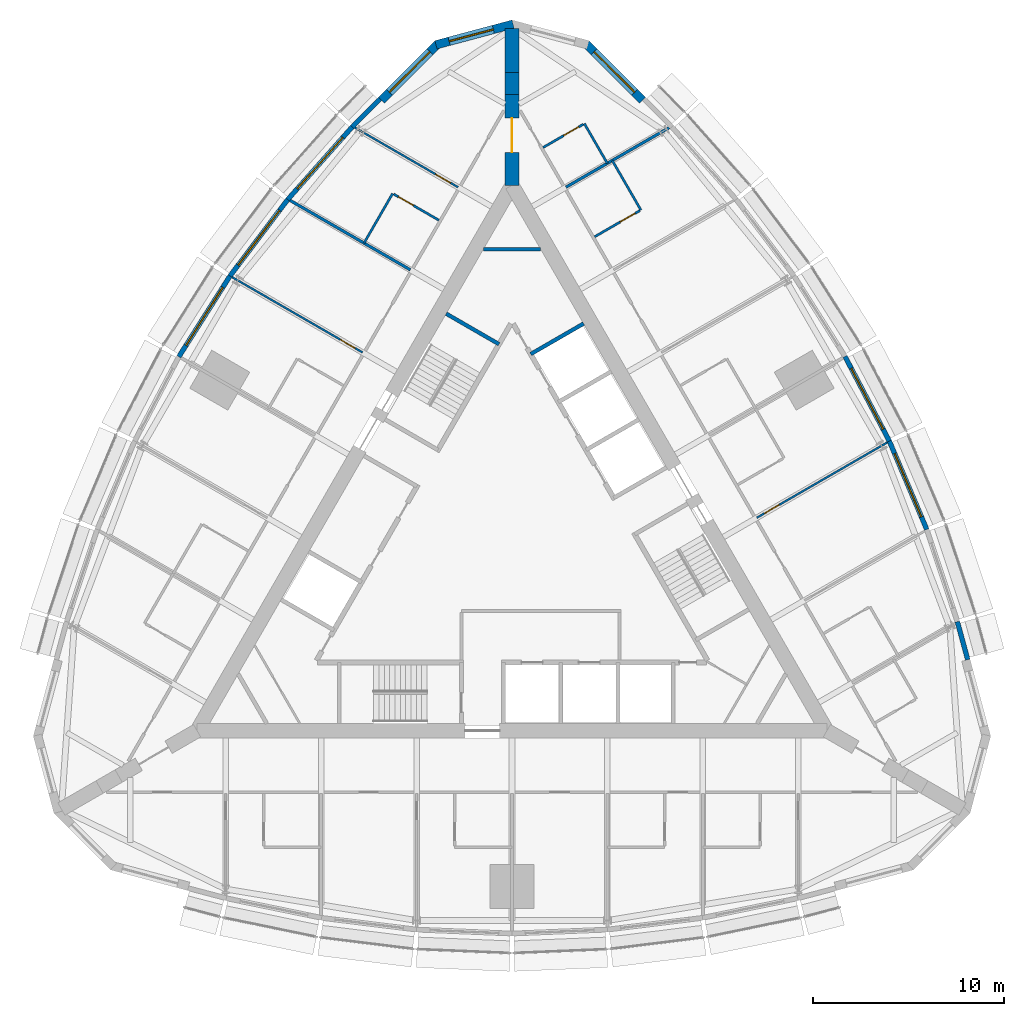
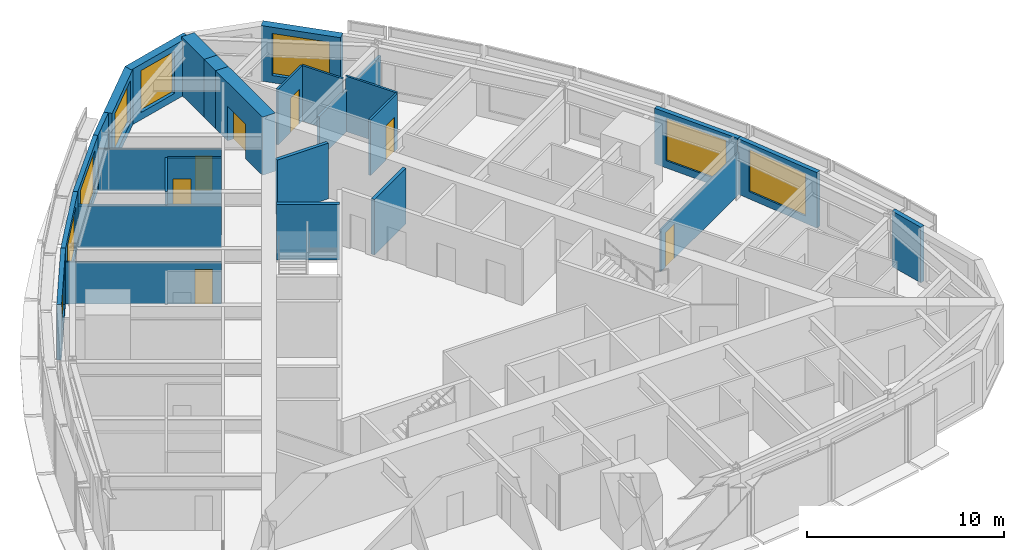
# One storey, part 13 of 15: 27 walls, 8 windows, 7 doors, 15 openings.
"""IFC4 building model written with IfcOpenShell, lengths in metres."""

from ifc_helpers import new_model, si_unit, direction, frame, frame_2d, origin, place, context, subcontext, project, spatial, polyline, rectangle, outline, extrude, material, layer, layer_set, type_object, element, fill, save


model = new_model("IFC4")

# Units and contexts
model_context = context("Model", 3, precision=1e-05, world=origin(), true_north=direction((0.0, 1.0)))
body_context = subcontext(model_context, "Body", "Model", "MODEL_VIEW")
ifc_project = project(units=[si_unit("LENGTHUNIT", "METRE"), si_unit("AREAUNIT", "SQUARE_METRE"), si_unit("VOLUMEUNIT", "CUBIC_METRE"), si_unit("PLANEANGLEUNIT", "RADIAN"), si_unit("MASSUNIT", "GRAM", prefix="KILO")], contexts=[model_context])

# Site, building, storey
site_placement = place(None, origin())
site = spatial("IfcSite", under=ifc_project, at=site_placement, CompositionType="ELEMENT")
building_placement = place(site_placement, origin())
building = spatial("IfcBuilding", under=site, at=building_placement, Name="Trikona Tower", CompositionType="ELEMENT")
storey_placement = place(building_placement, frame((0.0, 0.0, 226.10009765625)))
storey = spatial("IfcBuildingStorey", under=building, at=storey_placement, Name="L60", CompositionType="ELEMENT", Elevation=226.10009765625)

# Wall
ifc_material_1 = material(Name="Metal stud and cement board", Category="gypsum")
ifc_layer_1 = layer(ifc_material_1, 0.1201171875)
ifc_layer_set_1 = layer_set([ifc_layer_1], Name="Bathroom wall 120")
wall_type_1 = type_object("IfcWallType", Name="Bathroom wall 120", PredefinedType="PLUMBINGWALL", material=ifc_layer_set_1)
wall_1_placement = place(storey_placement, frame((6.75341796875, 17.75537109375, 0.0), z_axis=(0.0, 0.0, 1.0), x_axis=(-0.499990139034, 0.866031096941, 0.0)))
element("IfcWall", 1, at=wall_1_placement, inside=storey, type_object=wall_type_1, Name="Bathroom wall 6007.2", PredefinedType="PLUMBINGWALL", context=body_context, shape_type="SweptSolid", body=[
    extrude(rectangle(XDim=3.0, YDim=0.1201171875, at=frame_2d((1.5, 0.0))), origin(), (0.0, 0.0, 1.0), 3.434814453125),
])

# Wall, opening, door
wall_2_placement = place(storey_placement, frame((4.32861328125, 16.35546875, 0.0), z_axis=(0.0, 0.0, 1.0), x_axis=(0.866035715982, 0.499982138324, 0.0)))
wall_2 = element("IfcWall", 2, at=wall_2_placement, inside=storey, type_object=wall_type_1, Name="Bathroom wall 6007.2", PredefinedType="PLUMBINGWALL", context=body_context, shape_type="SweptSolid", body=[
    extrude(rectangle(XDim=2.73974609375, YDim=0.1201171875, at=frame_2d((1.369873046875, 0.0))), origin(), (0.0, 0.0, 1.0), 3.434814453125),
])
opening_1_placement = place(wall_2_placement, frame((1.550048828125, 0.0, 0.0)))
opening_1 = element("IfcOpeningElement", 3, at=opening_1_placement, cuts=wall_2, Name="Opening D2", PredefinedType="OPENING", context=body_context, shape_type="SweptSolid", body=[
    extrude(rectangle(XDim=0.89990234375, YDim=2.1298828125, at=frame_2d((0.449951171875, 1.06494140625))), frame((0.0, 0.070068359375, 0.0), z_axis=(0.0, -1.0, 0.0), x_axis=(1.0, 0.0, 0.0)), (0.0, 0.0, 1.0), 0.14013671875),
])
ifc_material_2 = material(Name="Steel door frame with solid-core timber leaf", Category="steel")
door_type_1 = type_object("IfcDoorType", Name="Bathroom door 900x2130", OperationType="SLIDING_TO_LEFT", PredefinedType="DOOR", material=ifc_material_2)
door_1_placement = place(opening_1_placement, origin())
door_1 = element("IfcDoor", 4, at=door_1_placement, inside=storey, type_object=door_type_1, Name="Bathroom door 6007.2", OperationType="SLIDING_TO_LEFT", OverallHeight=2.1298828125, OverallWidth=0.89990234375, PredefinedType="DOOR", context=body_context, shape_type="SweptSolid", body=[
    extrude(rectangle(XDim=0.89990234375, YDim=2.1298828125, at=frame_2d((0.449951171875, 1.06494140625))), frame((0.0, 0.02490234375, 0.0), z_axis=(0.0, -1.0, 0.0), x_axis=(1.0, 0.0, 0.0)), (0.0, 0.0, 1.0), 0.050048828125),
])
fill(opening_1, door_1)

# Wall
wall_3_placement = place(storey_placement, frame((4.993408203125, 20.20361328125, 0.0), z_axis=(0.0, 0.0, 1.0), x_axis=(-0.500001309137, 0.866024647952, 0.0)))
element("IfcWall", 5, at=wall_3_placement, inside=storey, type_object=wall_type_1, Name="Bathroom wall 6008", PredefinedType="PLUMBINGWALL", context=body_context, shape_type="SweptSolid", body=[
    extrude(rectangle(XDim=2.39990234375, YDim=0.1201171875, at=frame_2d((1.199951171875, 0.0))), origin(), (0.0, 0.0, 1.0), 3.434814453125),
])

# Wall, opening, door
wall_4_placement = place(storey_placement, frame((1.62841796875, 21.031982421875, 0.0), z_axis=(0.0, 0.0, 1.0), x_axis=(0.866048967903, 0.499959183527, 0.0)))
wall_4 = element("IfcWall", 6, at=wall_4_placement, inside=storey, type_object=wall_type_1, Name="Bathroom wall 6008", PredefinedType="PLUMBINGWALL", context=body_context, shape_type="SweptSolid", body=[
    extrude(rectangle(XDim=2.440185546875, YDim=0.1201171875, at=frame_2d((1.22021484375, 0.0))), origin(), (0.0, 0.0, 1.0), 3.434814453125),
])
opening_2_placement = place(wall_4_placement, frame((1.25, 0.0, 0.0)))
opening_2 = element("IfcOpeningElement", 7, at=opening_2_placement, cuts=wall_4, Name="Opening D2", PredefinedType="OPENING", context=body_context, shape_type="SweptSolid", body=[
    extrude(rectangle(XDim=0.89990234375, YDim=2.1298828125, at=frame_2d((0.449951171875, 1.06494140625))), frame((0.0, 0.070068359375, 0.0), z_axis=(0.0, -1.0, 0.0), x_axis=(1.0, 0.0, 0.0)), (0.0, 0.0, 1.0), 0.14013671875),
])
door_2_placement = place(opening_2_placement, origin())
door_2 = element("IfcDoor", 8, at=door_2_placement, inside=storey, type_object=door_type_1, Name="Bathroom door 6008", OperationType="SLIDING_TO_LEFT", OverallHeight=2.1298828125, OverallWidth=0.89990234375, PredefinedType="DOOR", context=body_context, shape_type="SweptSolid", body=[
    extrude(rectangle(XDim=0.89990234375, YDim=2.1298828125, at=frame_2d((0.449951171875, 1.06494140625))), frame((0.0, 0.02490234375, 0.0), z_axis=(0.0, -1.0, 0.0), x_axis=(1.0, 0.0, 0.0)), (0.0, 0.0, 1.0), 0.050048828125),
])
fill(opening_2, door_2)

# Wall
wall_5_placement = place(storey_placement, frame((-6.25341796875, 18.62158203125, 0.0), z_axis=(0.0, 0.0, 1.0), x_axis=(-0.499990139034, -0.866031096941, 0.0)))
element("IfcWall", 9, at=wall_5_placement, inside=storey, type_object=wall_type_1, Name="Bathroom wall 6009.1", PredefinedType="PLUMBINGWALL", context=body_context, shape_type="SweptSolid", body=[
    extrude(rectangle(XDim=3.0, YDim=0.1201171875, at=frame_2d((1.5, 0.0))), origin(), (0.0, 0.0, 1.0), 3.434814453125),
])

# Wall, opening, door
wall_6_placement = place(storey_placement, frame((-3.82861328125, 17.221435546875, 0.0), z_axis=(0.0, 0.0, 1.0), x_axis=(-0.865997131366, 0.500048966069, 0.0)))
wall_6 = element("IfcWall", 10, at=wall_6_placement, inside=storey, type_object=wall_type_1, Name="Bathroom wall 6009.1", PredefinedType="PLUMBINGWALL", context=body_context, shape_type="SweptSolid", body=[
    extrude(rectangle(XDim=2.739990234375, YDim=0.1201171875, at=frame_2d((1.3701171875, 0.0))), origin(), (0.0, 0.0, 1.0), 3.434814453125),
])
opening_3_placement = place(wall_6_placement, frame((1.550048828125, 0.0, 0.0)))
opening_3 = element("IfcOpeningElement", 11, at=opening_3_placement, cuts=wall_6, Name="Opening D2", PredefinedType="OPENING", context=body_context, shape_type="SweptSolid", body=[
    extrude(rectangle(XDim=0.89990234375, YDim=2.1298828125, at=frame_2d((0.449951171875, 1.06494140625))), frame((0.0, 0.070068359375, 0.0), z_axis=(0.0, -1.0, 0.0), x_axis=(1.0, 0.0, 0.0)), (0.0, 0.0, 1.0), 0.14013671875),
])
door_3_placement = place(opening_3_placement, origin())
door_3 = element("IfcDoor", 12, at=door_3_placement, inside=storey, type_object=door_type_1, Name="Bathroom door 6009.1", OperationType="SLIDING_TO_LEFT", OverallHeight=2.1298828125, OverallWidth=0.89990234375, PredefinedType="DOOR", context=body_context, shape_type="SweptSolid", body=[
    extrude(rectangle(XDim=0.89990234375, YDim=2.1298828125, at=frame_2d((0.449951171875, 1.06494140625))), frame((0.0, 0.02490234375, 0.0), z_axis=(0.0, -1.0, 0.0), x_axis=(1.0, 0.0, 0.0)), (0.0, 0.0, 1.0), 0.050048828125),
])
fill(opening_3, door_3)

# Wall, opening, window
ifc_material_3 = material(Name="Brick-faced precast concrete", Category="masonry")
ifc_layer_2 = layer(ifc_material_3, 0.449951171875)
ifc_layer_set_2 = layer_set([ifc_layer_2], Name="Brick-faced corner wall 450")
wall_type_2 = type_object("IfcWallType", Name="Brick-faced corner wall 450", PredefinedType="SOLIDWALL", material=ifc_layer_set_2)
wall_7_placement = place(storey_placement, frame((6.8408203125, 23.51220703125, 0.0), z_axis=(0.0, 0.0, 1.0), x_axis=(-0.707106781187, 0.707106781187, 0.0)))
wall_7 = element("IfcWall", 13, at=wall_7_placement, inside=storey, type_object=wall_type_2, Name="External wall L60-20", PredefinedType="SOLIDWALL", context=body_context, shape_type="SweptSolid", body=[
    extrude(rectangle(XDim=4.183837890625, YDim=0.449951171875, at=frame_2d((2.091796875, 0.0))), origin(), (0.0, 0.0, 1.0), 3.434814453125),
])
opening_4_placement = place(wall_7_placement, frame((0.592041015625, 0.0, 0.449951171875)))
opening_4 = element("IfcOpeningElement", 14, at=opening_4_placement, cuts=wall_7, Name="Opening W3026", PredefinedType="OPENING", context=body_context, shape_type="SweptSolid", body=[
    extrude(rectangle(XDim=3.0, YDim=2.60009765625, at=frame_2d((1.5, 1.300048828125))), frame((0.0, 0.23486328125, 0.0), z_axis=(0.0, -1.0, 0.0), x_axis=(1.0, 0.0, 0.0)), (0.0, 0.0, 1.0), 0.469970703125),
])
ifc_material_4 = material(Name="Aluminium-framed double glazing", Category="aluminium")
window_type_1 = type_object("IfcWindowType", Name="Window 3000x2600", PartitioningType="SINGLE_PANEL", PredefinedType="WINDOW", material=ifc_material_4)
window_1_placement = place(opening_4_placement, origin())
window_1 = element("IfcWindow", 15, at=window_1_placement, inside=storey, type_object=window_type_1, Name="Window 6008", OverallHeight=2.60009765625, OverallWidth=3.0, PartitioningType="SINGLE_PANEL", PredefinedType="WINDOW", context=body_context, shape_type="SweptSolid", body=[
    extrude(rectangle(XDim=3.0, YDim=2.60009765625, at=frame_2d((1.5, 1.300048828125))), frame((0.0, 0.030029296875, 0.0), z_axis=(0.0, -1.0, 0.0), x_axis=(1.0, 0.0, 0.0)), (0.0, 0.0, 1.0), 0.06005859375),
])
fill(opening_4, window_1)

wall_8_placement = place(storey_placement, frame((0.05810546875, 27.49560546875, 0.0), z_axis=(0.0, 0.0, 1.0), x_axis=(-0.965920442324, -0.258839137498, 0.0)))
wall_8 = element("IfcWall", 16, at=wall_8_placement, inside=storey, type_object=wall_type_2, Name="External wall L60-22", PredefinedType="SOLIDWALL", context=body_context, shape_type="SweptSolid", body=[
    extrude(outline(polyline([(4.18408203125, 0.22509765625), (0.5087890625, 0.22509765625), (0.478515625, 0.11279296875), (0.059814453125, 0.22509765625), (0.0, 0.22509765625), (0.0, -0.22509765625), (4.18408203125, -0.22509765625), (4.18408203125, 0.22509765625)])), origin(), (0.0, 0.0, 1.0), 3.434814453125),
])
opening_5_placement = place(wall_8_placement, frame((1.0712890625, 0.0, 0.449951171875)))
opening_5 = element("IfcOpeningElement", 17, at=opening_5_placement, cuts=wall_8, Name="Opening W2426", PredefinedType="OPENING", context=body_context, shape_type="SweptSolid", body=[
    extrude(rectangle(XDim=2.39990234375, YDim=2.60009765625, at=frame_2d((1.199951171875, 1.300048828125))), frame((0.0, 0.23486328125, 0.0), z_axis=(0.0, -1.0, 0.0), x_axis=(1.0, 0.0, 0.0)), (0.0, 0.0, 1.0), 0.469970703125),
])
ifc_material_5 = material(Name="Aluminium-framed double glazing", Category="aluminium")
window_type_2 = type_object("IfcWindowType", Name="Window 2400x2600", PartitioningType="SINGLE_PANEL", PredefinedType="WINDOW", material=ifc_material_5)
window_2_placement = place(opening_5_placement, origin())
window_2 = element("IfcWindow", 18, at=window_2_placement, inside=storey, type_object=window_type_2, Name="Window 6009", OverallHeight=2.60009765625, OverallWidth=2.39990234375, PartitioningType="SINGLE_PANEL", PredefinedType="WINDOW", context=body_context, shape_type="SweptSolid", body=[
    extrude(rectangle(XDim=2.39990234375, YDim=2.60009765625, at=frame_2d((1.199951171875, 1.300048828125))), frame((0.0, 0.030029296875, 0.0), z_axis=(0.0, -1.0, 0.0), x_axis=(1.0, 0.0, 0.0)), (0.0, 0.0, 1.0), 0.06005859375),
])
fill(opening_5, window_2)

wall_9_placement = place(storey_placement, frame((-3.88232421875, 26.470703125, 0.0), z_axis=(0.0, 0.0, 1.0), x_axis=(-0.707106781187, -0.707106781187, 0.0)))
wall_9 = element("IfcWall", 19, at=wall_9_placement, inside=storey, type_object=wall_type_2, Name="External wall L60-23", PredefinedType="SOLIDWALL", context=body_context, shape_type="SweptSolid", body=[
    extrude(rectangle(XDim=4.183837890625, YDim=0.449951171875, at=frame_2d((2.091796875, 0.0))), origin(), (0.0, 0.0, 1.0), 3.434814453125),
])
opening_6_placement = place(wall_9_placement, frame((0.592041015625, 0.0, 0.449951171875)))
opening_6 = element("IfcOpeningElement", 20, at=opening_6_placement, cuts=wall_9, Name="Opening W3026", PredefinedType="OPENING", context=body_context, shape_type="SweptSolid", body=[
    extrude(rectangle(XDim=3.0, YDim=2.60009765625, at=frame_2d((1.5, 1.300048828125))), frame((0.0, 0.23486328125, 0.0), z_axis=(0.0, -1.0, 0.0), x_axis=(1.0, 0.0, 0.0)), (0.0, 0.0, 1.0), 0.469970703125),
])
window_3_placement = place(opening_6_placement, origin())
window_3 = element("IfcWindow", 21, at=window_3_placement, inside=storey, type_object=window_type_1, Name="Window 6009", OverallHeight=2.60009765625, OverallWidth=3.0, PartitioningType="SINGLE_PANEL", PredefinedType="WINDOW", context=body_context, shape_type="SweptSolid", body=[
    extrude(rectangle(XDim=3.0, YDim=2.60009765625, at=frame_2d((1.5, 1.300048828125))), frame((0.0, 0.030029296875, 0.0), z_axis=(0.0, -1.0, 0.0), x_axis=(1.0, 0.0, 0.0)), (0.0, 0.0, 1.0), 0.06005859375),
])
fill(opening_6, window_3)

# Wall, opening, door
ifc_material_6 = material(Name="Concrete f'c 10000 psi", Category="concrete")
ifc_layer_3 = layer(ifc_material_6, 0.75)
ifc_layer_set_3 = layer_set([ifc_layer_3], Name="Buttress wall 750")
wall_type_3 = type_object("IfcWallType", Name="Buttress wall 750", PredefinedType="SHEAR", material=ifc_layer_set_3)
wall_10_placement = place(storey_placement, frame((0.0, 19.052490234375, 0.0), z_axis=(0.0, 0.0, 1.0), x_axis=(0.0, 1.0, 0.0)))
wall_10 = element("IfcWall", 22, at=wall_10_placement, inside=storey, type_object=wall_type_3, Name="Buttress wall 2", PredefinedType="SHEAR", context=body_context, shape_type="SweptSolid", body=[
    extrude(rectangle(XDim=4.74609375, YDim=0.75, at=frame_2d((2.373046875, 0.0))), origin(), (0.0, 0.0, 1.0), 3.599853515625),
])
opening_7_placement = place(wall_10_placement, frame((1.72509765625, 0.0, 0.0)))
opening_7 = element("IfcOpeningElement", 23, at=opening_7_placement, cuts=wall_10, Name="Opening D10", PredefinedType="OPENING", context=body_context, shape_type="SweptSolid", body=[
    extrude(rectangle(XDim=1.800048828125, YDim=2.1298828125, at=frame_2d((0.89990234375, 1.06494140625))), frame((0.0, 0.385009765625, 0.0), z_axis=(0.0, -1.0, 0.0), x_axis=(1.0, 0.0, 0.0)), (0.0, 0.0, 1.0), 0.77001953125),
])
ifc_material_7 = material(Name="Hollow metal door and frame", Category="steel")
door_type_2 = type_object("IfcDoorType", Name="Cross-corridor door pair 1800x2130", OperationType="DOUBLE_DOOR_DOUBLE_SWING", PredefinedType="DOOR", material=ifc_material_7)
door_4_placement = place(opening_7_placement, origin())
door_4 = element("IfcDoor", 24, at=door_4_placement, inside=storey, type_object=door_type_2, Name="Cross-corridor door 2", OperationType="DOUBLE_DOOR_DOUBLE_SWING", OverallHeight=2.1298828125, OverallWidth=1.800048828125, PredefinedType="DOOR", context=body_context, shape_type="SweptSolid", body=[
    extrude(rectangle(XDim=1.800048828125, YDim=2.1298828125, at=frame_2d((0.89990234375, 1.06494140625))), frame((0.0, 0.02490234375, 0.0), z_axis=(0.0, -1.0, 0.0), x_axis=(1.0, 0.0, 0.0)), (0.0, 0.0, 1.0), 0.050048828125),
])
fill(opening_7, door_4)

# Walls
wall_11_placement = place(storey_placement, frame((0.0, 23.798583984375, 0.0), z_axis=(0.0, 0.0, 1.0), x_axis=(0.0, 1.0, 0.0)))
element("IfcWall", 25, at=wall_11_placement, inside=storey, type_object=wall_type_3, Name="Buttress wall 2 part 2", PredefinedType="SHEAR", context=body_context, shape_type="SweptSolid", body=[
    extrude(rectangle(XDim=1.15478515625, YDim=0.75, at=frame_2d((0.577392578125, 0.0))), origin(), (0.0, 0.0, 1.0), 3.599853515625),
])
wall_12_placement = place(storey_placement, frame((0.0, 24.953369140625, 0.0), z_axis=(0.0, 0.0, 1.0), x_axis=(0.0, 1.0, 0.0)))
element("IfcWall", 26, at=wall_12_placement, inside=storey, type_object=wall_type_3, Name="Buttress wall 2 part 3", PredefinedType="SHEAR", context=body_context, shape_type="SweptSolid", body=[
    extrude(rectangle(XDim=2.309326171875, YDim=0.75, at=frame_2d((1.15478515625, 0.0))), origin(), (0.0, 0.0, 1.0), 3.599853515625),
])
ifc_material_8 = material(Name="Insulated precast concrete spandrel panel", Category="concrete")
ifc_layer_4 = layer(ifc_material_8, 0.25)
ifc_layer_set_4 = layer_set([ifc_layer_4], Name="Inner skin wall 250")
wall_type_4 = type_object("IfcWallType", Name="Inner skin wall 250", PredefinedType="STANDARD", material=ifc_layer_set_4)
wall_13_placement = place(storey_placement, frame((23.87939453125, -5.806396484375, 0.0), z_axis=(0.0, 0.0, 1.0), x_axis=(-0.262867703986, 0.964831887015, 0.0)))
element("IfcWall", 27, at=wall_13_placement, inside=storey, type_object=wall_type_4, Name="External wall L60-12", PredefinedType="STANDARD", context=body_context, shape_type="SweptSolid", body=[
    extrude(rectangle(XDim=2.068359375, YDim=0.25, at=frame_2d((1.0341796875, 0.0))), origin(), (0.0, 0.0, 1.0), 3.434814453125),
])

# Wall, opening, window
wall_14_placement = place(storey_placement, frame((21.73291015625, 1.01806640625, 0.0), z_axis=(0.0, 0.0, 1.0), x_axis=(-0.390096809471, 0.920773848044, 0.0)))
wall_14 = element("IfcWall", 28, at=wall_14_placement, inside=storey, type_object=wall_type_4, Name="External wall L60-14", PredefinedType="STANDARD", context=body_context, shape_type="SweptSolid", body=[
    extrude(rectangle(XDim=5.0380859375, YDim=0.25, at=frame_2d((2.51904296875, 0.0))), origin(), (0.0, 0.0, 1.0), 3.434814453125),
])
opening_8_placement = place(wall_14_placement, frame((0.718994140625, 0.0, 0.449951171875)))
opening_8 = element("IfcOpeningElement", 29, at=opening_8_placement, cuts=wall_14, Name="Opening W3626", PredefinedType="OPENING", context=body_context, shape_type="SweptSolid", body=[
    extrude(rectangle(XDim=3.60009765625, YDim=2.60009765625, at=frame_2d((1.800048828125, 1.300048828125))), frame((0.0, 0.135009765625, 0.0), z_axis=(0.0, -1.0, 0.0), x_axis=(1.0, 0.0, 0.0)), (0.0, 0.0, 1.0), 0.27001953125),
])
ifc_material_9 = material(Name="Aluminium-framed double glazing", Category="aluminium")
window_type_3 = type_object("IfcWindowType", Name="Window 3600x2600", PartitioningType="SINGLE_PANEL", PredefinedType="WINDOW", material=ifc_material_9)
window_4_placement = place(opening_8_placement, origin())
window_4 = element("IfcWindow", 30, at=window_4_placement, inside=storey, type_object=window_type_3, Name="Window 6006", OverallHeight=2.60009765625, OverallWidth=3.60009765625, PartitioningType="SINGLE_PANEL", PredefinedType="WINDOW", context=body_context, shape_type="SweptSolid", body=[
    extrude(rectangle(XDim=3.60009765625, YDim=2.60009765625, at=frame_2d((1.800048828125, 1.300048828125))), frame((0.0, 0.030029296875, 0.0), z_axis=(0.0, -1.0, 0.0), x_axis=(1.0, 0.0, 0.0)), (0.0, 0.0, 1.0), 0.06005859375),
])
fill(opening_8, window_4)

wall_15_placement = place(storey_placement, frame((19.772216796875, 5.64794921875, 0.0), z_axis=(0.0, 0.0, 1.0), x_axis=(-0.463976002579, 0.885847768542, 0.0)))
wall_15 = element("IfcWall", 31, at=wall_15_placement, inside=storey, type_object=wall_type_4, Name="External wall L60-15", PredefinedType="STANDARD", context=body_context, shape_type="SweptSolid", body=[
    extrude(rectangle(XDim=5.004150390625, YDim=0.25, at=frame_2d((2.501953125, 0.0))), origin(), (0.0, 0.0, 1.0), 3.434814453125),
])
opening_9_placement = place(wall_15_placement, frame((0.7021484375, 0.0, 0.449951171875)))
opening_9 = element("IfcOpeningElement", 32, at=opening_9_placement, cuts=wall_15, Name="Opening W3626", PredefinedType="OPENING", context=body_context, shape_type="SweptSolid", body=[
    extrude(rectangle(XDim=3.60009765625, YDim=2.60009765625, at=frame_2d((1.800048828125, 1.300048828125))), frame((0.0, 0.135009765625, 0.0), z_axis=(0.0, -1.0, 0.0), x_axis=(1.0, 0.0, 0.0)), (0.0, 0.0, 1.0), 0.27001953125),
])
window_5_placement = place(opening_9_placement, origin())
window_5 = element("IfcWindow", 33, at=window_5_placement, inside=storey, type_object=window_type_3, Name="Window 6006.2", OverallHeight=2.60009765625, OverallWidth=3.60009765625, PartitioningType="SINGLE_PANEL", PredefinedType="WINDOW", context=body_context, shape_type="SweptSolid", body=[
    extrude(rectangle(XDim=3.60009765625, YDim=2.60009765625, at=frame_2d((1.800048828125, 1.300048828125))), frame((0.0, 0.030029296875, 0.0), z_axis=(0.0, -1.0, 0.0), x_axis=(1.0, 0.0, 0.0)), (0.0, 0.0, 1.0), 0.06005859375),
])
fill(opening_9, window_5)

# Wall
wall_16_placement = place(storey_placement, frame((-6.9111328125, 23.58349609375, 0.0), z_axis=(0.0, 0.0, 1.0), x_axis=(-0.704149946111, -0.710051303352, 0.0)))
element("IfcWall", 34, at=wall_16_placement, inside=storey, type_object=wall_type_4, Name="External wall L60-24", PredefinedType="STANDARD", context=body_context, shape_type="SweptSolid", body=[
    extrude(rectangle(XDim=2.068603515625, YDim=0.25, at=frame_2d((1.0341796875, 0.0))), origin(), (0.0, 0.0, 1.0), 3.434814453125),
])

# Wall, opening, window
wall_17_placement = place(storey_placement, frame((-8.363037109375, 22.119873046875, 0.0), z_axis=(0.0, 0.0, 1.0), x_axis=(-0.664348996191, -0.747422511876, 0.0)))
wall_17 = element("IfcWall", 35, at=wall_17_placement, inside=storey, type_object=wall_type_4, Name="External wall L60-25", PredefinedType="STANDARD", context=body_context, shape_type="SweptSolid", body=[
    extrude(rectangle(XDim=5.104736328125, YDim=0.25, at=frame_2d((2.55224609375, 0.0))), origin(), (0.0, 0.0, 1.0), 3.434814453125),
])
opening_10_placement = place(wall_17_placement, frame((0.75244140625, 0.0, 0.449951171875)))
opening_10 = element("IfcOpeningElement", 36, at=opening_10_placement, cuts=wall_17, Name="Opening W3626", PredefinedType="OPENING", context=body_context, shape_type="SweptSolid", body=[
    extrude(rectangle(XDim=3.60009765625, YDim=2.60009765625, at=frame_2d((1.800048828125, 1.300048828125))), frame((0.0, 0.135009765625, 0.0), z_axis=(0.0, -1.0, 0.0), x_axis=(1.0, 0.0, 0.0)), (0.0, 0.0, 1.0), 0.27001953125),
])
window_6_placement = place(opening_10_placement, origin())
window_6 = element("IfcWindow", 37, at=window_6_placement, inside=storey, type_object=window_type_3, Name="Window 6009.1", OverallHeight=2.60009765625, OverallWidth=3.60009765625, PartitioningType="SINGLE_PANEL", PredefinedType="WINDOW", context=body_context, shape_type="SweptSolid", body=[
    extrude(rectangle(XDim=3.60009765625, YDim=2.60009765625, at=frame_2d((1.800048828125, 1.300048828125))), frame((0.0, 0.030029296875, 0.0), z_axis=(0.0, -1.0, 0.0), x_axis=(1.0, 0.0, 0.0)), (0.0, 0.0, 1.0), 0.06005859375),
])
fill(opening_10, window_6)

wall_18_placement = place(storey_placement, frame((-11.748046875, 18.31201171875, 0.0), z_axis=(0.0, 0.0, 1.0), x_axis=(-0.602408653511, -0.798187831388, 0.0)))
wall_18 = element("IfcWall", 38, at=wall_18_placement, inside=storey, type_object=wall_type_4, Name="External wall L60-26", PredefinedType="STANDARD", context=body_context, shape_type="SweptSolid", body=[
    extrude(rectangle(XDim=5.037841796875, YDim=0.25, at=frame_2d((2.51904296875, 0.0))), origin(), (0.0, 0.0, 1.0), 3.434814453125),
])
opening_11_placement = place(wall_18_placement, frame((0.718994140625, 0.0, 0.449951171875)))
opening_11 = element("IfcOpeningElement", 39, at=opening_11_placement, cuts=wall_18, Name="Opening W3626", PredefinedType="OPENING", context=body_context, shape_type="SweptSolid", body=[
    extrude(rectangle(XDim=3.60009765625, YDim=2.60009765625, at=frame_2d((1.800048828125, 1.300048828125))), frame((0.0, 0.135009765625, 0.0), z_axis=(0.0, -1.0, 0.0), x_axis=(1.0, 0.0, 0.0)), (0.0, 0.0, 1.0), 0.27001953125),
])
window_7_placement = place(opening_11_placement, origin())
window_7 = element("IfcWindow", 40, at=window_7_placement, inside=storey, type_object=window_type_3, Name="Window 6010", OverallHeight=2.60009765625, OverallWidth=3.60009765625, PartitioningType="SINGLE_PANEL", PredefinedType="WINDOW", context=body_context, shape_type="SweptSolid", body=[
    extrude(rectangle(XDim=3.60009765625, YDim=2.60009765625, at=frame_2d((1.800048828125, 1.300048828125))), frame((0.0, 0.030029296875, 0.0), z_axis=(0.0, -1.0, 0.0), x_axis=(1.0, 0.0, 0.0)), (0.0, 0.0, 1.0), 0.06005859375),
])
fill(opening_11, window_7)

wall_19_placement = place(storey_placement, frame((-14.777099609375, 14.29931640625, 0.0), z_axis=(0.0, 0.0, 1.0), x_axis=(-0.535220361449, -0.844712474568, 0.0)))
wall_19 = element("IfcWall", 41, at=wall_19_placement, inside=storey, type_object=wall_type_4, Name="External wall L60-27", PredefinedType="STANDARD", context=body_context, shape_type="SweptSolid", body=[
    extrude(rectangle(XDim=5.00439453125, YDim=0.25, at=frame_2d((2.502197265625, 0.0))), origin(), (0.0, 0.0, 1.0), 3.434814453125),
])
opening_12_placement = place(wall_19_placement, frame((0.7021484375, 0.0, 0.449951171875)))
opening_12 = element("IfcOpeningElement", 42, at=opening_12_placement, cuts=wall_19, Name="Opening W3626", PredefinedType="OPENING", context=body_context, shape_type="SweptSolid", body=[
    extrude(rectangle(XDim=3.60009765625, YDim=2.60009765625, at=frame_2d((1.800048828125, 1.300048828125))), frame((0.0, 0.135009765625, 0.0), z_axis=(0.0, -1.0, 0.0), x_axis=(1.0, 0.0, 0.0)), (0.0, 0.0, 1.0), 0.27001953125),
])
window_8_placement = place(opening_12_placement, origin())
window_8 = element("IfcWindow", 43, at=window_8_placement, inside=storey, type_object=window_type_3, Name="Window 6010.1", OverallHeight=2.60009765625, OverallWidth=3.60009765625, PartitioningType="SINGLE_PANEL", PredefinedType="WINDOW", context=body_context, shape_type="SweptSolid", body=[
    extrude(rectangle(XDim=3.60009765625, YDim=2.60009765625, at=frame_2d((1.800048828125, 1.300048828125))), frame((0.0, 0.030029296875, 0.0), z_axis=(0.0, -1.0, 0.0), x_axis=(1.0, 0.0, 0.0)), (0.0, 0.0, 1.0), 0.06005859375),
])
fill(opening_12, window_8)

# Walls
ifc_material_10 = material(Name="Metal stud and gypsum board, 1-hour acoustic", Category="gypsum")
ifc_layer_5 = layer(ifc_material_10, 0.14990234375)
ifc_layer_set_5 = layer_set([ifc_layer_5], Name="Party wall 150")
wall_type_5 = type_object("IfcWallType", Name="Party wall 150", PredefinedType="PARTITIONING", material=ifc_layer_set_5)
wall_20_placement = place(storey_placement, frame((2.82861328125, 18.95361328125, 0.0), z_axis=(0.0, 0.0, 1.0), x_axis=(0.866026604282, 0.499997920671, 0.0)))
element("IfcWall", 44, at=wall_20_placement, inside=storey, type_object=wall_type_5, Name="Partition L60 F2 u15", PredefinedType="PARTITIONING", context=body_context, shape_type="SweptSolid", body=[
    extrude(rectangle(XDim=6.23974609375, YDim=0.14990234375, at=frame_2d((3.119873046875, 0.0))), origin(), (0.0, 0.0, 1.0), 2.589111328125),
])
wall_21_placement = place(storey_placement, frame((-5.32861328125, 14.623291015625, 0.0), z_axis=(0.0, 0.0, 1.0), x_axis=(-0.866017877653, 0.500013035415, 0.0)))
element("IfcWall", 45, at=wall_21_placement, inside=storey, type_object=wall_type_5, Name="Partition L60 F3 u-10", PredefinedType="PARTITIONING", context=body_context, shape_type="SweptSolid", body=[
    extrude(rectangle(XDim=7.272705078125, YDim=0.14990234375, at=frame_2d((3.63623046875, 0.0))), origin(), (0.0, 0.0, 1.0), 2.589111328125),
])
ifc_material_11 = material(Name="Concrete f'c 8000 psi", Category="concrete")
ifc_layer_6 = layer(ifc_material_11, 0.199951171875)
ifc_layer_set_6 = layer_set([ifc_layer_6], Name="Shaft wall 200")
wall_type_6 = type_object("IfcWallType", Name="Shaft wall 200", PredefinedType="SOLIDWALL", material=ifc_layer_set_6)
wall_22_placement = place(storey_placement, frame((0.97900390625, 10.20703125, 0.0), z_axis=(0.0, 0.0, 1.0), x_axis=(0.866042017984, 0.499971222258, 0.0)))
element("IfcWall", 46, at=wall_22_placement, inside=storey, type_object=wall_type_6, Name="Shaft wall B6", PredefinedType="SOLIDWALL", context=body_context, shape_type="SweptSolid", body=[
    extrude(rectangle(XDim=3.199951171875, YDim=0.199951171875, at=frame_2d((1.60009765625, 0.0))), origin(), (0.0, 0.0, 1.0), 3.434814453125),
])
wall_23_placement = place(storey_placement, frame((-1.501220703125, 15.70263671875, 0.0), z_axis=(0.0, 0.0, 1.0), x_axis=(1.0, 0.0, 0.0)))
element("IfcWall", 47, at=wall_23_placement, inside=storey, type_object=wall_type_6, Name="Riser wall L60-RS2", PredefinedType="SOLIDWALL", context=body_context, shape_type="SweptSolid", body=[
    extrude(rectangle(XDim=3.00244140625, YDim=0.199951171875, at=frame_2d((1.501220703125, 0.0))), origin(), (0.0, 0.0, 1.0), 3.434814453125),
])
ifc_material_12 = material(Name="Concrete f'c 8000 psi", Category="concrete")
ifc_layer_7 = layer(ifc_material_12, 0.199951171875)
ifc_layer_set_7 = layer_set([ifc_layer_7], Name="Shaft wall 200 load-bearing")
wall_type_7 = type_object("IfcWallType", Name="Shaft wall 200 load-bearing", PredefinedType="SOLIDWALL", material=ifc_layer_set_7)
wall_24_placement = place(storey_placement, frame((-0.678955078125, 10.7265625, 0.0), z_axis=(0.0, 0.0, 1.0), x_axis=(-0.866008981251, 0.500028443584, 0.0)))
element("IfcWall", 48, at=wall_24_placement, inside=storey, type_object=wall_type_7, Name="Shaft wall C1", PredefinedType="SOLIDWALL", context=body_context, shape_type="SweptSolid", body=[
    extrude(rectangle(XDim=3.199951171875, YDim=0.199951171875, at=frame_2d((1.60009765625, 0.0))), origin(), (0.0, 0.0, 1.0), 3.434814453125),
])

# Wall, opening, door
ifc_material_13 = material(Name="Metal stud and gypsum board, acoustic", Category="gypsum")
ifc_layer_8 = layer(ifc_material_13, 0.10009765625)
ifc_layer_set_8 = layer_set([ifc_layer_8], Name="Suite partition 100")
wall_type_8 = type_object("IfcWallType", Name="Suite partition 100", PredefinedType="PARTITIONING", material=ifc_layer_set_8)
wall_25_placement = place(storey_placement, frame((12.82861328125, 1.633056640625, 0.0), z_axis=(0.0, 0.0, 1.0), x_axis=(0.866030558329, 0.49999107196, 0.0)))
wall_25 = element("IfcWall", 49, at=wall_25_placement, inside=storey, type_object=wall_type_8, Name="Suite partition L60 F2 u-5", PredefinedType="PARTITIONING", context=body_context, shape_type="SweptSolid", body=[
    extrude(rectangle(XDim=7.893798828125, YDim=0.10009765625, at=frame_2d((3.94677734375, 0.0))), origin(), (0.0, 0.0, 1.0), 2.589111328125),
])
opening_13_placement = place(wall_25_placement, frame((0.449951171875, 0.0, 0.0)))
opening_13 = element("IfcOpeningElement", 50, at=opening_13_placement, cuts=wall_25, Name="Opening D13", PredefinedType="OPENING", context=body_context, shape_type="SweptSolid", body=[
    extrude(rectangle(XDim=0.89990234375, YDim=2.1298828125, at=frame_2d((0.449951171875, 1.06494140625))), frame((0.0, 0.06005859375, 0.0), z_axis=(0.0, -1.0, 0.0), x_axis=(1.0, 0.0, 0.0)), (0.0, 0.0, 1.0), 0.1201171875),
])
ifc_material_14 = material(Name="Steel door frame with solid-core timber leaf", Category="steel")
door_type_3 = type_object("IfcDoorType", Name="Suite door 900x2130", OperationType="SINGLE_SWING_LEFT", PredefinedType="DOOR", material=ifc_material_14)
door_5_placement = place(opening_13_placement, origin())
door_5 = element("IfcDoor", 51, at=door_5_placement, inside=storey, type_object=door_type_3, Name="Suite door 6006", OperationType="SINGLE_SWING_LEFT", OverallHeight=2.1298828125, OverallWidth=0.89990234375, PredefinedType="DOOR", context=body_context, shape_type="SweptSolid", body=[
    extrude(rectangle(XDim=0.89990234375, YDim=2.1298828125, at=frame_2d((0.449951171875, 1.06494140625))), frame((0.0, 0.02490234375, 0.0), z_axis=(0.0, -1.0, 0.0), x_axis=(1.0, 0.0, 0.0)), (0.0, 0.0, 1.0), 0.050048828125),
])
fill(opening_13, door_5)

wall_26_placement = place(storey_placement, frame((-2.82861328125, 18.95361328125, 0.0), z_axis=(0.0, 0.0, 1.0), x_axis=(-0.866026604282, 0.499997920671, 0.0)))
wall_26 = element("IfcWall", 52, at=wall_26_placement, inside=storey, type_object=wall_type_8, Name="Suite partition L60 F3 u-15", PredefinedType="PARTITIONING", context=body_context, shape_type="SweptSolid", body=[
    extrude(rectangle(XDim=6.23974609375, YDim=0.10009765625, at=frame_2d((3.119873046875, 0.0))), origin(), (0.0, 0.0, 1.0), 2.589111328125),
])
opening_14_placement = place(wall_26_placement, frame((0.449951171875, 0.0, 0.0)))
opening_14 = element("IfcOpeningElement", 53, at=opening_14_placement, cuts=wall_26, Name="Opening D13", PredefinedType="OPENING", context=body_context, shape_type="SweptSolid", body=[
    extrude(rectangle(XDim=0.89990234375, YDim=2.1298828125, at=frame_2d((0.449951171875, 1.06494140625))), frame((0.0, 0.06005859375, 0.0), z_axis=(0.0, -1.0, 0.0), x_axis=(1.0, 0.0, 0.0)), (0.0, 0.0, 1.0), 0.1201171875),
])
door_6_placement = place(opening_14_placement, origin())
door_6 = element("IfcDoor", 54, at=door_6_placement, inside=storey, type_object=door_type_3, Name="Suite door 6009", OperationType="SINGLE_SWING_LEFT", OverallHeight=2.1298828125, OverallWidth=0.89990234375, PredefinedType="DOOR", context=body_context, shape_type="SweptSolid", body=[
    extrude(rectangle(XDim=0.89990234375, YDim=2.1298828125, at=frame_2d((0.449951171875, 1.06494140625))), frame((0.0, 0.02490234375, 0.0), z_axis=(0.0, -1.0, 0.0), x_axis=(1.0, 0.0, 0.0)), (0.0, 0.0, 1.0), 0.050048828125),
])
fill(opening_14, door_6)

wall_27_placement = place(storey_placement, frame((-7.82861328125, 10.293212890625, 0.0), z_axis=(0.0, 0.0, 1.0), x_axis=(-0.866030558329, 0.49999107196, 0.0)))
wall_27 = element("IfcWall", 55, at=wall_27_placement, inside=storey, type_object=wall_type_8, Name="Suite partition L60 F3 u-5", PredefinedType="PARTITIONING", context=body_context, shape_type="SweptSolid", body=[
    extrude(rectangle(XDim=7.893798828125, YDim=0.10009765625, at=frame_2d((3.94677734375, 0.0))), origin(), (0.0, 0.0, 1.0), 2.589111328125),
])
opening_15_placement = place(wall_27_placement, frame((0.449951171875, 0.0, 0.0)))
opening_15 = element("IfcOpeningElement", 56, at=opening_15_placement, cuts=wall_27, Name="Opening D13", PredefinedType="OPENING", context=body_context, shape_type="SweptSolid", body=[
    extrude(rectangle(XDim=0.89990234375, YDim=2.1298828125, at=frame_2d((0.449951171875, 1.06494140625))), frame((0.0, 0.06005859375, 0.0), z_axis=(0.0, -1.0, 0.0), x_axis=(1.0, 0.0, 0.0)), (0.0, 0.0, 1.0), 0.1201171875),
])
door_7_placement = place(opening_15_placement, origin())
door_7 = element("IfcDoor", 57, at=door_7_placement, inside=storey, type_object=door_type_3, Name="Suite door 6010", OperationType="SINGLE_SWING_LEFT", OverallHeight=2.1298828125, OverallWidth=0.89990234375, PredefinedType="DOOR", context=body_context, shape_type="SweptSolid", body=[
    extrude(rectangle(XDim=0.89990234375, YDim=2.1298828125, at=frame_2d((0.449951171875, 1.06494140625))), frame((0.0, 0.02490234375, 0.0), z_axis=(0.0, -1.0, 0.0), x_axis=(1.0, 0.0, 0.0)), (0.0, 0.0, 1.0), 0.050048828125),
])
fill(opening_15, door_7)

save(model, "model.ifc")
